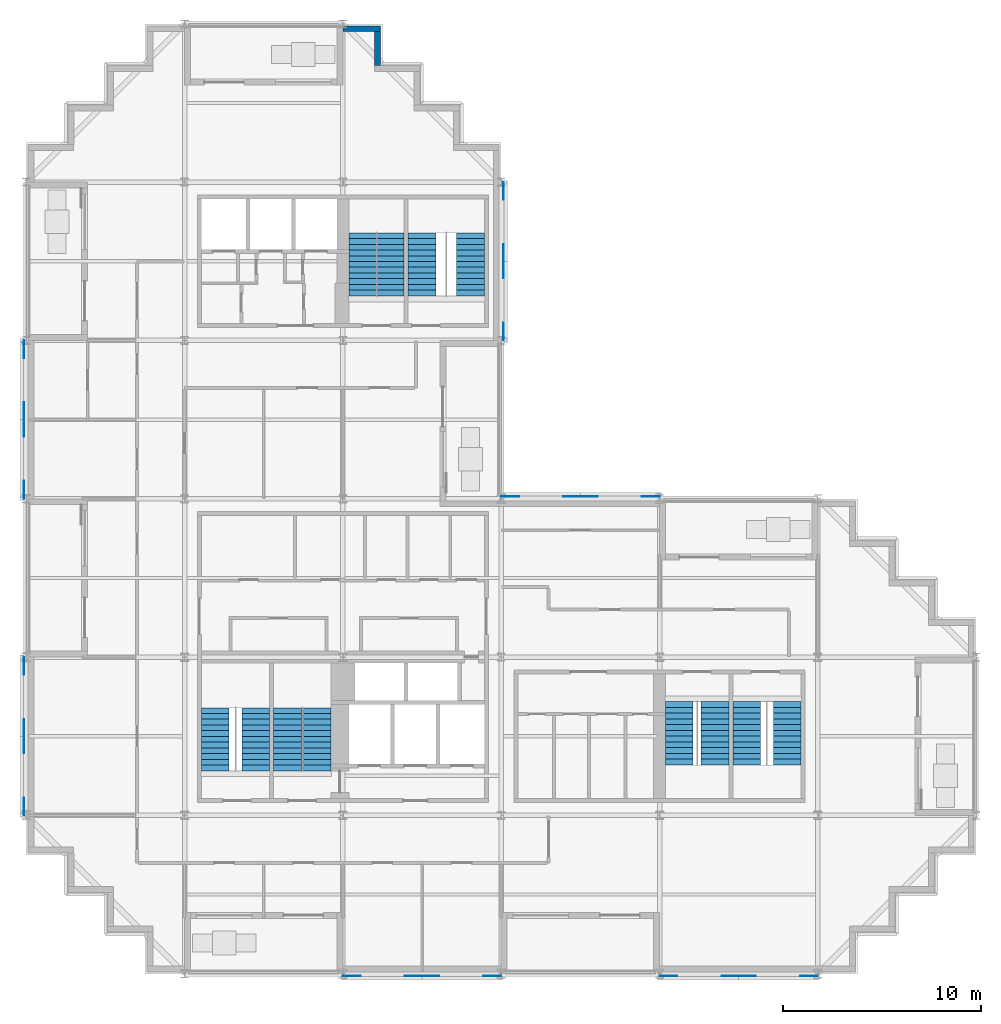
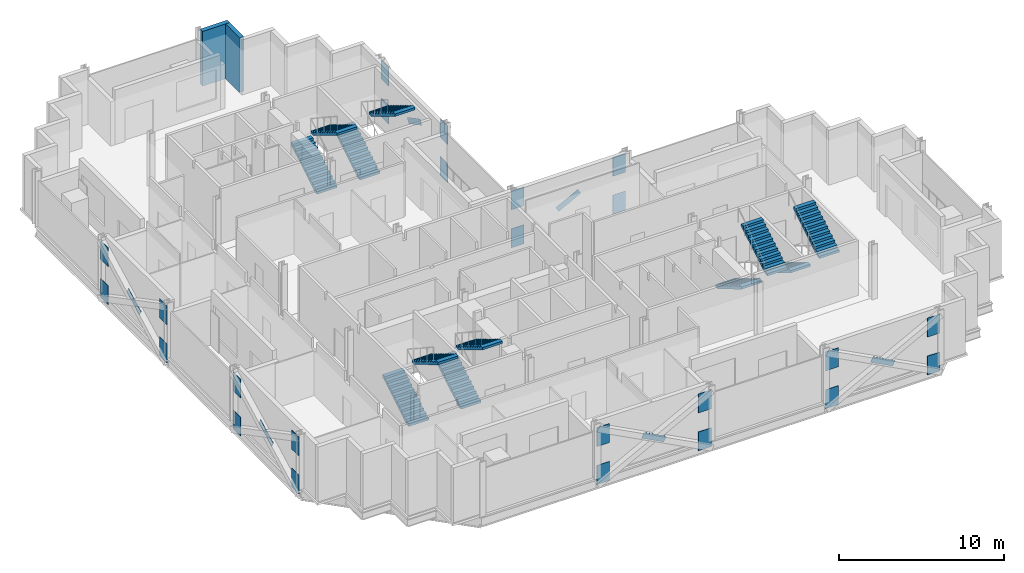
# One storey, part 9 of 12: 30 discrete accessories, 12 stair flights, 2 walls, 6 elements without a shape of their own.
"""IFC4 building model written with IfcOpenShell, lengths in metres."""

import ifcopenshell
import ifcopenshell.guid

model = None  # the IFC model being written
_history = None  # IfcOwnerHistory: only IFC2X3 demands one
_inside = {}  # id of a spatial element -> (the spatial element, [elements in it])
_under = {}  # id of a project, library or spatial element -> (it, [spatial elements below it])
_declared = {}  # id of a project -> (the project, [libraries it declares])
_typed = {}  # id of a type object -> (the type object, [elements of that type])
_made_of = {}  # id of a material, layer set ... -> (it, [elements and type objects made of it])


def new_model(schema):
    """Start an empty IFC model of exactly this schema.

    Asked for "IFC4X3", IfcOpenShell would pick the latest addendum, in which some entities
    have other attributes; the version numbers below select the first issue.
    IFC2X3 requires an IfcOwnerHistory on every rooted entity: one is made here for all.
    """
    global model, _history
    if schema == "IFC4X3":
        model = ifcopenshell.file(schema_version=(4, 3, 0, 0))
    else:
        model = ifcopenshell.file(schema=schema)
    _inside.clear()
    _under.clear()
    _declared.clear()
    _typed.clear()
    _made_of.clear()
    _history = None
    if model.schema == "IFC2X3":
        org = make("IfcOrganization", Name="unknown")
        user = make(
            "IfcPersonAndOrganization",
            ThePerson=make("IfcPerson", FamilyName="unknown"),
            TheOrganization=org,
        )
        app = make(
            "IfcApplication",
            ApplicationDeveloper=org,
            Version="unknown",
            ApplicationFullName="unknown",
            ApplicationIdentifier="unknown",
        )
        _history = make(
            "IfcOwnerHistory",
            OwningUser=user,
            OwningApplication=app,
            ChangeAction="ADDED",
            CreationDate=0,
        )
    return model


def make(cls, **values):
    """One entity of the class cls with the attributes given. An attribute that is None is left unset."""
    return model.create_entity(
        cls, **{name: value for name, value in values.items() if value is not None}
    )


def rooted(cls, **values):
    """An entity with a GlobalId (a new one), such as an element, a storey or a relation."""
    return make(cls, GlobalId=ifcopenshell.guid.new(), OwnerHistory=_history, **values)


def si_unit(unit_type, name, prefix=None):
    """IfcSIUnit, for example si_unit("LENGTHUNIT", "METRE", prefix="MILLI")."""
    return make("IfcSIUnit", UnitType=unit_type, Prefix=prefix, Name=name)


def assignment(units):
    """IfcUnitAssignment: the units of a project."""
    return None if units is None else make("IfcUnitAssignment", Units=units)


def point(xyz):
    """IfcCartesianPoint."""
    return None if xyz is None else make("IfcCartesianPoint", Coordinates=xyz)


def direction(xyz):
    """IfcDirection."""
    return None if xyz is None else make("IfcDirection", DirectionRatios=xyz)


def frame(location, z_axis=None, x_axis=None):
    """IfcAxis2Placement3D, a coordinate frame: its origin and axes. An axis left out is left unset."""
    return make(
        "IfcAxis2Placement3D",
        Location=point(location),
        Axis=direction(z_axis),
        RefDirection=direction(x_axis),
    )


def frame_2d(location, x_axis=None):
    """IfcAxis2Placement2D, a coordinate frame in the plane: its origin and x axis."""
    return make(
        "IfcAxis2Placement2D", Location=point(location), RefDirection=direction(x_axis)
    )


def origin():
    """The frame at (0, 0, 0) with its axes left unset."""
    return frame((0.0, 0.0, 0.0))


def origin_2d():
    """The frame at (0, 0) in the plane with its x axis left unset."""
    return frame_2d((0.0, 0.0))


def place(relative_to, where):
    """IfcLocalPlacement: puts the frame where relative to a parent placement (None: the world)."""
    return make(
        "IfcLocalPlacement", PlacementRelTo=relative_to, RelativePlacement=where
    )


def context(
    kind, dimensions, precision=None, world=None, true_north=None, identifier=None
):
    """IfcGeometricRepresentationContext, for example the 3D "Model" context."""
    return make(
        "IfcGeometricRepresentationContext",
        ContextIdentifier=identifier,
        ContextType=kind,
        CoordinateSpaceDimension=dimensions,
        Precision=precision,
        WorldCoordinateSystem=world,
        TrueNorth=true_north,
    )


def subcontext(parent, identifier, kind, view, scale=None):
    """IfcGeometricRepresentationSubContext, for example "Body" below "Model"."""
    return make(
        "IfcGeometricRepresentationSubContext",
        ContextIdentifier=identifier,
        ContextType=kind,
        ParentContext=parent,
        TargetScale=scale,
        TargetView=view,
    )


def project(units=None, contexts=None):
    """IfcProject with its units and contexts."""
    return rooted(
        "IfcProject",
        Name="project",
        RepresentationContexts=contexts,
        UnitsInContext=assignment(units),
    )


def spatial(cls, under=None, at=None, **own):
    """A site, building, storey or space (cls), placed at a placement, below another one or the project."""
    s = rooted(cls, ObjectPlacement=at, **own)
    if under is not None:
        _under.setdefault(under.id(), (under, []))[1].append(s)
    return s


def polyline(points):
    """IfcPolyline through the points."""
    return make("IfcPolyline", Points=[point(p) for p in points])


def profile(cls, at=None, kind="AREA", **sizes):
    """A parametric profile (cls). Its sizes go by their IFC names, for example OverallWidth=200.0."""
    return make(cls, ProfileType=kind, Position=at, **sizes)


def rectangle(**sizes):
    """IfcRectangleProfileDef."""
    return profile("IfcRectangleProfileDef", **sizes)


def outline(outer, holes=None, kind="AREA"):
    """IfcArbitraryClosedProfileDef: a profile drawn as a closed curve; with holes, ...WithVoids."""
    if holes is None:
        return make("IfcArbitraryClosedProfileDef", ProfileType=kind, OuterCurve=outer)
    return make(
        "IfcArbitraryProfileDefWithVoids",
        ProfileType=kind,
        OuterCurve=outer,
        InnerCurves=holes,
    )


def extrude(swept, where, along, depth):
    """IfcExtrudedAreaSolid: the profile swept, set in the frame where, extruded along a direction by depth."""
    return make(
        "IfcExtrudedAreaSolid",
        SweptArea=swept,
        Position=where,
        ExtrudedDirection=direction(along),
        Depth=depth,
    )


def shape(context_of_items, identifier, shape_type, items):
    """IfcShapeRepresentation: the items that make up one representation, for example the "Body"."""
    return make(
        "IfcShapeRepresentation",
        ContextOfItems=context_of_items,
        RepresentationIdentifier=identifier,
        RepresentationType=shape_type,
        Items=items,
    )


def material(Name=None, Category=None):
    """IfcMaterial."""
    return make("IfcMaterial", Name=Name, Category=Category)


def layer(
    of_material, thickness, ventilated=None, Name=None, Category=None, Priority=None
):
    """IfcMaterialLayer: one layer of a wall or slab, of a material (None: an air gap)."""
    return make(
        "IfcMaterialLayer",
        Material=of_material,
        LayerThickness=thickness,
        IsVentilated=ventilated,
        Name=Name,
        Category=Category,
        Priority=Priority,
    )


def layer_set(layers, Name=None):
    """IfcMaterialLayerSet."""
    return make("IfcMaterialLayerSet", MaterialLayers=layers, LayerSetName=Name)


def material_profile(
    of_material, cross_section, Name=None, Category=None, Priority=None
):
    """IfcMaterialProfile: a cross section and its material."""
    return make(
        "IfcMaterialProfile",
        Name=Name,
        Material=of_material,
        Profile=cross_section,
        Priority=Priority,
        Category=Category,
    )


def profile_set(profiles, Name=None, composite=None):
    """IfcMaterialProfileSet."""
    return make(
        "IfcMaterialProfileSet",
        Name=Name,
        MaterialProfiles=profiles,
        CompositeProfile=composite,
    )


def made_of(thing, what):
    """Note that an element or type object is made of a material, layer set ...; save() writes the relation."""
    if what is not None:
        _made_of.setdefault(what.id(), (what, []))[1].append(thing)
    return thing


def type_object(cls, material=None, **own):
    """A type object (cls), such as IfcWallType, which elements share."""
    return made_of(rooted(cls, **own), material)


def element(
    cls,
    number,
    at=None,
    inside=None,
    cuts=None,
    type_object=None,
    material=None,
    context=None,
    identifier="Body",
    shape_type=None,
    held_by="IfcProductDefinitionShape",
    body=None,
    shapes=None,
    **own,
):
    """One element of the class cls, such as IfcWall. Its Tag is "e" and its number.

    at: its placement. inside: the storey or other place that contains it. cuts: it is an
    opening in that element (IfcRelVoidsElement). A single representation is given by context,
    identifier, shape_type and body (its items); several are given by shapes. held_by: the class
    of the entity that holds the representations. save() writes the other relations.
    """
    e = rooted(cls, Tag="e%d" % number, ObjectPlacement=at, **own)
    if body is not None:
        shapes = [shape(context, identifier, shape_type, body)]
    if shapes is not None:
        e.Representation = make(held_by, Representations=shapes)
    if inside is not None:
        _inside.setdefault(inside.id(), (inside, []))[1].append(e)
    if cuts is not None:
        rooted(
            "IfcRelVoidsElement", RelatingBuildingElement=cuts, RelatedOpeningElement=e
        )
    if type_object is not None:
        _typed.setdefault(type_object.id(), (type_object, []))[1].append(e)
    return made_of(e, material)


def aggregate(whole, parts):
    """IfcRelAggregates: a whole, such as a stair, and the parts it consists of."""
    return rooted("IfcRelAggregates", RelatingObject=whole, RelatedObjects=parts)


def save(model, path):
    """Write the relations noted so far, then the file.

    IfcRelAggregates (storeys below a building ...), IfcRelContainedInSpatialStructure (elements
    in a storey), IfcRelDefinesByType, IfcRelAssociatesMaterial and IfcRelDeclares: one each for
    every whole, place, type object, material and project.
    """
    for whole, parts in _under.values():
        aggregate(whole, parts)
    for where, things in _inside.values():
        rooted(
            "IfcRelContainedInSpatialStructure",
            RelatedElements=things,
            RelatingStructure=where,
        )
    for kind, things in _typed.values():
        rooted("IfcRelDefinesByType", RelatedObjects=things, RelatingType=kind)
    for what, things in _made_of.values():
        rooted("IfcRelAssociatesMaterial", RelatedObjects=things, RelatingMaterial=what)
    for by, libraries in _declared.values():
        rooted("IfcRelDeclares", RelatingContext=by, RelatedDefinitions=libraries)
    model.write(path)


model = new_model("IFC4")

# Units and contexts
model_context = context("Model", 3, precision=1e-05, world=origin(), true_north=direction((0.0, 1.0)))
body_context = subcontext(model_context, "Body", "Model", "MODEL_VIEW")
ifc_project = project(units=[si_unit("LENGTHUNIT", "METRE"), si_unit("AREAUNIT", "SQUARE_METRE"), si_unit("VOLUMEUNIT", "CUBIC_METRE"), si_unit("PLANEANGLEUNIT", "RADIAN"), si_unit("MASSUNIT", "GRAM", prefix="KILO")], contexts=[model_context])

# Site, building, storey
site_placement = place(None, origin())
site = spatial("IfcSite", under=ifc_project, at=site_placement, CompositionType="ELEMENT")
building_placement = place(site_placement, origin())
building = spatial("IfcBuilding", under=site, at=building_placement, Name="Immortelle Media Tower", CompositionType="ELEMENT")
storey_placement = place(building_placement, frame((0.0, 0.0, 124.199951171875)))
storey = spatial("IfcBuildingStorey", under=building, at=storey_placement, Name="L24", CompositionType="ELEMENT", Elevation=124.199951171875)

# Walls
ifc_material_1 = material(Name="Pale aluminium cladding panel", Category="aluminium")
ifc_layer_1 = layer(ifc_material_1, 0.030029296875)
ifc_material_2 = material(Name="Steel ASTM A653 SS Gr 50 stud frame with mineral wool", Category="steel")
ifc_layer_2 = layer(ifc_material_2, 0.257568359375)
ifc_material_3 = material(Name="Moisture-resistant gypsum board", Category="gypsum")
ifc_layer_3 = layer(ifc_material_3, 0.012451171875)
ifc_layer_set = layer_set([ifc_layer_1, ifc_layer_2, ifc_layer_3], Name="Steel ASTM A653 SS Gr 50 stud frame with mineral wool")
wall_type = type_object("IfcWallType", Name="Facade wall 300", PredefinedType="SOLIDWALL", material=ifc_layer_set)
wall_1_placement = place(storey_placement, frame((17.75, 45.89990234375, 0.0), z_axis=(0.0, 0.0, 1.0), x_axis=(0.0, 1.0, 0.0)))
element("IfcWall", 1, at=wall_1_placement, inside=storey, type_object=wall_type, Name="Facade wall L24 E27", PredefinedType="SOLIDWALL", context=body_context, shape_type="SweptSolid", body=[
    extrude(rectangle(XDim=1.7001953125, YDim=0.300048828125, at=frame_2d((0.85009765625, 0.0))), origin(), (0.0, 0.0, 1.0), 4.050048828125),
])
wall_2_placement = place(storey_placement, frame((17.89990234375, 47.75, 0.0), z_axis=(0.0, 0.0, 1.0), x_axis=(-1.0, 0.0, 0.0)))
element("IfcWall", 2, at=wall_2_placement, inside=storey, type_object=wall_type, Name="Facade wall L24 N28", PredefinedType="SOLIDWALL", context=body_context, shape_type="SweptSolid", body=[
    extrude(rectangle(XDim=1.89990234375, YDim=0.300048828125, at=frame_2d((0.949951171875, 0.0))), origin(), (0.0, 0.0, 1.0), 4.050048828125),
])

# Stair, stair flights
ifc_material_4 = material(Name="Steel ASTM A992 Gr 50", Category="steel")
stair_type = type_object("IfcStairType", Name="Stair with flights", PredefinedType="DOUBLE_RETURN_STAIR", material=ifc_material_4)
stair_1_placement = place(storey_placement, origin())
stair_1 = element("IfcStair", 3, at=stair_1_placement, inside=storey, type_object=stair_type, Name="Exit stair SW1", PredefinedType="DOUBLE_RETURN_STAIR")
stair_flight_type = type_object("IfcStairFlightType", Name="Stair flight 1400", PredefinedType="STRAIGHT", material=ifc_material_4)
stair_flight_1_placement = place(storey_placement, frame((9.550048828125, 10.25, 0.0), z_axis=(0.0, 0.0, 1.0), x_axis=(0.0, 1.0, 0.0)))
stair_flight_1 = element("IfcStairFlight", 4, at=stair_flight_1_placement, type_object=stair_flight_type, Name="ST SW1 flight 1", NumberOfRisers=12, NumberOfTreads=11, PredefinedType="STRAIGHT", RiserHeight=0.175, TreadLength=0.29, context=body_context, shape_type="SweptSolid", body=[
    extrude(outline(polyline([(0.0, 0.0), (0.0, 0.175048828125), (0.2900390625, 0.175048828125), (0.2900390625, 0.35009765625), (0.580078125, 0.35009765625), (0.580078125, 0.52490234375), (0.8701171875, 0.52490234375), (0.8701171875, 0.699951171875), (1.159912109375, 0.699951171875), (1.159912109375, 0.875), (1.449951171875, 0.875), (1.449951171875, 1.050048828125), (1.739990234375, 1.050048828125), (1.739990234375, 1.22509765625), (2.030029296875, 1.22509765625), (2.030029296875, 1.39990234375), (2.320068359375, 1.39990234375), (2.320068359375, 1.574951171875), (2.610107421875, 1.574951171875), (2.610107421875, 1.75), (2.89990234375, 1.75), (2.89990234375, 1.925048828125), (3.18994140625, 1.925048828125), (3.18994140625, 2.10009765625), (3.18994140625, 1.75), (0.2900390625, 0.0), (0.0, 0.0)])), frame((0.0, 0.699951171875, 0.0), z_axis=(0.0, -1.0, 0.0), x_axis=(1.0, 0.0, 0.0)), (0.0, 0.0, 1.0), 1.39990234375),
])
stair_flight_2_placement = place(storey_placement, frame((11.60009765625, 13.43994140625, 2.10009765625), z_axis=(0.0, 0.0, 1.0), x_axis=(0.0, -1.0, 0.0)))
stair_flight_2 = element("IfcStairFlight", 5, at=stair_flight_2_placement, type_object=stair_flight_type, Name="ST SW1 flight 2", NumberOfRisers=12, NumberOfTreads=11, PredefinedType="STRAIGHT", RiserHeight=0.175, TreadLength=0.29, context=body_context, shape_type="SweptSolid", body=[
    extrude(outline(polyline([(0.0, 0.0), (0.0, 0.175048828125), (0.2900390625, 0.175048828125), (0.2900390625, 0.35009765625), (0.580078125, 0.35009765625), (0.580078125, 0.52490234375), (0.8701171875, 0.52490234375), (0.8701171875, 0.699951171875), (1.159912109375, 0.699951171875), (1.159912109375, 0.875), (1.449951171875, 0.875), (1.449951171875, 1.050048828125), (1.739990234375, 1.050048828125), (1.739990234375, 1.22509765625), (2.030029296875, 1.22509765625), (2.030029296875, 1.39990234375), (2.320068359375, 1.39990234375), (2.320068359375, 1.574951171875), (2.610107421875, 1.574951171875), (2.610107421875, 1.75), (2.89990234375, 1.75), (2.89990234375, 1.925048828125), (3.18994140625, 1.925048828125), (3.18994140625, 2.10009765625), (3.18994140625, 1.75), (0.2900390625, 0.0), (0.0, 0.0)])), frame((0.0, 0.699951171875, 0.0), z_axis=(0.0, -1.0, 0.0), x_axis=(1.0, 0.0, 0.0)), (0.0, 0.0, 1.0), 1.39990234375),
])
aggregate(stair_1, [stair_flight_1, stair_flight_2])

stair_2_placement = place(storey_placement, origin())
stair_2 = element("IfcStair", 6, at=stair_2_placement, inside=storey, type_object=stair_type, Name="Exit stair SW2", PredefinedType="DOUBLE_RETURN_STAIR")
stair_flight_3_placement = place(storey_placement, frame((13.199951171875, 10.25, 0.0), z_axis=(0.0, 0.0, 1.0), x_axis=(0.0, 1.0, 0.0)))
stair_flight_3 = element("IfcStairFlight", 7, at=stair_flight_3_placement, type_object=stair_flight_type, Name="ST SW2 flight 1", NumberOfRisers=12, NumberOfTreads=11, PredefinedType="STRAIGHT", RiserHeight=0.175, TreadLength=0.29, context=body_context, shape_type="SweptSolid", body=[
    extrude(outline(polyline([(0.0, 0.0), (0.0, 0.175048828125), (0.2900390625, 0.175048828125), (0.2900390625, 0.35009765625), (0.580078125, 0.35009765625), (0.580078125, 0.52490234375), (0.8701171875, 0.52490234375), (0.8701171875, 0.699951171875), (1.159912109375, 0.699951171875), (1.159912109375, 0.875), (1.449951171875, 0.875), (1.449951171875, 1.050048828125), (1.739990234375, 1.050048828125), (1.739990234375, 1.22509765625), (2.030029296875, 1.22509765625), (2.030029296875, 1.39990234375), (2.320068359375, 1.39990234375), (2.320068359375, 1.574951171875), (2.610107421875, 1.574951171875), (2.610107421875, 1.75), (2.89990234375, 1.75), (2.89990234375, 1.925048828125), (3.18994140625, 1.925048828125), (3.18994140625, 2.10009765625), (3.18994140625, 1.75), (0.2900390625, 0.0), (0.0, 0.0)])), frame((0.0, 0.699951171875, 0.0), z_axis=(0.0, -1.0, 0.0), x_axis=(1.0, 0.0, 0.0)), (0.0, 0.0, 1.0), 1.39990234375),
])
stair_flight_4_placement = place(storey_placement, frame((14.699951171875, 13.43994140625, 2.10009765625), z_axis=(0.0, 0.0, 1.0), x_axis=(0.0, -1.0, 0.0)))
stair_flight_4 = element("IfcStairFlight", 8, at=stair_flight_4_placement, type_object=stair_flight_type, Name="ST SW2 flight 2", NumberOfRisers=12, NumberOfTreads=11, PredefinedType="STRAIGHT", RiserHeight=0.175, TreadLength=0.29, context=body_context, shape_type="SweptSolid", body=[
    extrude(outline(polyline([(0.0, 0.0), (0.0, 0.175048828125), (0.2900390625, 0.175048828125), (0.2900390625, 0.35009765625), (0.580078125, 0.35009765625), (0.580078125, 0.52490234375), (0.8701171875, 0.52490234375), (0.8701171875, 0.699951171875), (1.159912109375, 0.699951171875), (1.159912109375, 0.875), (1.449951171875, 0.875), (1.449951171875, 1.050048828125), (1.739990234375, 1.050048828125), (1.739990234375, 1.22509765625), (2.030029296875, 1.22509765625), (2.030029296875, 1.39990234375), (2.320068359375, 1.39990234375), (2.320068359375, 1.574951171875), (2.610107421875, 1.574951171875), (2.610107421875, 1.75), (2.89990234375, 1.75), (2.89990234375, 1.925048828125), (3.18994140625, 1.925048828125), (3.18994140625, 2.10009765625), (3.18994140625, 1.75), (0.2900390625, 0.0), (0.0, 0.0)])), frame((0.0, 0.699951171875, 0.0), z_axis=(0.0, -1.0, 0.0), x_axis=(1.0, 0.0, 0.0)), (0.0, 0.0, 1.0), 1.39990234375),
])
aggregate(stair_2, [stair_flight_3, stair_flight_4])

stair_3_placement = place(storey_placement, origin())
stair_3 = element("IfcStair", 9, at=stair_3_placement, inside=storey, type_object=stair_type, Name="Exit stair SE1", PredefinedType="DOUBLE_RETURN_STAIR")
stair_flight_5_placement = place(storey_placement, frame((33.0, 13.75, 0.0), z_axis=(0.0, 0.0, 1.0), x_axis=(0.0, -1.0, 0.0)))
stair_flight_5 = element("IfcStairFlight", 10, at=stair_flight_5_placement, type_object=stair_flight_type, Name="ST SE1 flight 1", NumberOfRisers=12, NumberOfTreads=11, PredefinedType="STRAIGHT", RiserHeight=0.175, TreadLength=0.29, context=body_context, shape_type="SweptSolid", body=[
    extrude(outline(polyline([(0.0, 0.0), (0.0, 0.175048828125), (0.2900390625, 0.175048828125), (0.2900390625, 0.35009765625), (0.580078125, 0.35009765625), (0.580078125, 0.52490234375), (0.8701171875, 0.52490234375), (0.8701171875, 0.699951171875), (1.159912109375, 0.699951171875), (1.159912109375, 0.875), (1.449951171875, 0.875), (1.449951171875, 1.050048828125), (1.739990234375, 1.050048828125), (1.739990234375, 1.22509765625), (2.030029296875, 1.22509765625), (2.030029296875, 1.39990234375), (2.320068359375, 1.39990234375), (2.320068359375, 1.574951171875), (2.610107421875, 1.574951171875), (2.610107421875, 1.75), (2.89990234375, 1.75), (2.89990234375, 1.925048828125), (3.18994140625, 1.925048828125), (3.18994140625, 2.10009765625), (3.18994140625, 1.75), (0.2900390625, 0.0), (0.0, 0.0)])), frame((0.0, 0.699951171875, 0.0), z_axis=(0.0, -1.0, 0.0), x_axis=(1.0, 0.0, 0.0)), (0.0, 0.0, 1.0), 1.39990234375),
])
stair_flight_6_placement = place(storey_placement, frame((34.800048828125, 10.56005859375, 2.10009765625), z_axis=(0.0, 0.0, 1.0), x_axis=(0.0, 1.0, 0.0)))
stair_flight_6 = element("IfcStairFlight", 11, at=stair_flight_6_placement, type_object=stair_flight_type, Name="ST SE1 flight 2", NumberOfRisers=12, NumberOfTreads=11, PredefinedType="STRAIGHT", RiserHeight=0.175, TreadLength=0.29, context=body_context, shape_type="SweptSolid", body=[
    extrude(outline(polyline([(0.0, 0.0), (0.0, 0.175048828125), (0.2900390625, 0.175048828125), (0.2900390625, 0.35009765625), (0.580078125, 0.35009765625), (0.580078125, 0.52490234375), (0.8701171875, 0.52490234375), (0.8701171875, 0.699951171875), (1.159912109375, 0.699951171875), (1.159912109375, 0.875), (1.449951171875, 0.875), (1.449951171875, 1.050048828125), (1.739990234375, 1.050048828125), (1.739990234375, 1.22509765625), (2.030029296875, 1.22509765625), (2.030029296875, 1.39990234375), (2.320068359375, 1.39990234375), (2.320068359375, 1.574951171875), (2.610107421875, 1.574951171875), (2.610107421875, 1.75), (2.89990234375, 1.75), (2.89990234375, 1.925048828125), (3.18994140625, 1.925048828125), (3.18994140625, 2.10009765625), (3.18994140625, 1.75), (0.2900390625, 0.0), (0.0, 0.0)])), frame((0.0, 0.699951171875, 0.0), z_axis=(0.0, -1.0, 0.0), x_axis=(1.0, 0.0, 0.0)), (0.0, 0.0, 1.0), 1.39990234375),
])
aggregate(stair_3, [stair_flight_5, stair_flight_6])

stair_4_placement = place(storey_placement, origin())
stair_4 = element("IfcStair", 12, at=stair_4_placement, inside=storey, type_object=stair_type, Name="Exit stair SE2", PredefinedType="DOUBLE_RETURN_STAIR")
stair_flight_7_placement = place(storey_placement, frame((36.39990234375, 13.75, 0.0), z_axis=(0.0, 0.0, 1.0), x_axis=(0.0, -1.0, 0.0)))
stair_flight_7 = element("IfcStairFlight", 13, at=stair_flight_7_placement, type_object=stair_flight_type, Name="ST SE2 flight 1", NumberOfRisers=12, NumberOfTreads=11, PredefinedType="STRAIGHT", RiserHeight=0.175, TreadLength=0.29, context=body_context, shape_type="SweptSolid", body=[
    extrude(outline(polyline([(0.0, 0.0), (0.0, 0.175048828125), (0.2900390625, 0.175048828125), (0.2900390625, 0.35009765625), (0.580078125, 0.35009765625), (0.580078125, 0.52490234375), (0.8701171875, 0.52490234375), (0.8701171875, 0.699951171875), (1.159912109375, 0.699951171875), (1.159912109375, 0.875), (1.449951171875, 0.875), (1.449951171875, 1.050048828125), (1.739990234375, 1.050048828125), (1.739990234375, 1.22509765625), (2.030029296875, 1.22509765625), (2.030029296875, 1.39990234375), (2.320068359375, 1.39990234375), (2.320068359375, 1.574951171875), (2.610107421875, 1.574951171875), (2.610107421875, 1.75), (2.89990234375, 1.75), (2.89990234375, 1.925048828125), (3.18994140625, 1.925048828125), (3.18994140625, 2.10009765625), (3.18994140625, 1.75), (0.2900390625, 0.0), (0.0, 0.0)])), frame((0.0, 0.699951171875, 0.0), z_axis=(0.0, -1.0, 0.0), x_axis=(1.0, 0.0, 0.0)), (0.0, 0.0, 1.0), 1.39990234375),
])
stair_flight_8_placement = place(storey_placement, frame((38.449951171875, 10.56005859375, 2.10009765625), z_axis=(0.0, 0.0, 1.0), x_axis=(0.0, 1.0, 0.0)))
stair_flight_8 = element("IfcStairFlight", 14, at=stair_flight_8_placement, type_object=stair_flight_type, Name="ST SE2 flight 2", NumberOfRisers=12, NumberOfTreads=11, PredefinedType="STRAIGHT", RiserHeight=0.175, TreadLength=0.29, context=body_context, shape_type="SweptSolid", body=[
    extrude(outline(polyline([(0.0, 0.0), (0.0, 0.175048828125), (0.2900390625, 0.175048828125), (0.2900390625, 0.35009765625), (0.580078125, 0.35009765625), (0.580078125, 0.52490234375), (0.8701171875, 0.52490234375), (0.8701171875, 0.699951171875), (1.159912109375, 0.699951171875), (1.159912109375, 0.875), (1.449951171875, 0.875), (1.449951171875, 1.050048828125), (1.739990234375, 1.050048828125), (1.739990234375, 1.22509765625), (2.030029296875, 1.22509765625), (2.030029296875, 1.39990234375), (2.320068359375, 1.39990234375), (2.320068359375, 1.574951171875), (2.610107421875, 1.574951171875), (2.610107421875, 1.75), (2.89990234375, 1.75), (2.89990234375, 1.925048828125), (3.18994140625, 1.925048828125), (3.18994140625, 2.10009765625), (3.18994140625, 1.75), (0.2900390625, 0.0), (0.0, 0.0)])), frame((0.0, 0.699951171875, 0.0), z_axis=(0.0, -1.0, 0.0), x_axis=(1.0, 0.0, 0.0)), (0.0, 0.0, 1.0), 1.39990234375),
])
aggregate(stair_4, [stair_flight_7, stair_flight_8])

stair_5_placement = place(storey_placement, origin())
stair_5 = element("IfcStair", 15, at=stair_5_placement, inside=storey, type_object=stair_type, Name="Exit stair NW1", PredefinedType="DOUBLE_RETURN_STAIR")
stair_flight_9_placement = place(storey_placement, frame((17.0, 34.25, 0.0), z_axis=(0.0, 0.0, 1.0), x_axis=(0.0, 1.0, 0.0)))
stair_flight_9 = element("IfcStairFlight", 16, at=stair_flight_9_placement, type_object=stair_flight_type, Name="ST NW1 flight 1", NumberOfRisers=12, NumberOfTreads=11, PredefinedType="STRAIGHT", RiserHeight=0.175, TreadLength=0.29, context=body_context, shape_type="SweptSolid", body=[
    extrude(outline(polyline([(0.0, 0.0), (0.0, 0.175048828125), (0.2900390625, 0.175048828125), (0.2900390625, 0.35009765625), (0.580078125, 0.35009765625), (0.580078125, 0.52490234375), (0.8701171875, 0.52490234375), (0.8701171875, 0.699951171875), (1.159912109375, 0.699951171875), (1.159912109375, 0.875), (1.449951171875, 0.875), (1.449951171875, 1.050048828125), (1.739990234375, 1.050048828125), (1.739990234375, 1.22509765625), (2.030029296875, 1.22509765625), (2.030029296875, 1.39990234375), (2.320068359375, 1.39990234375), (2.320068359375, 1.574951171875), (2.610107421875, 1.574951171875), (2.610107421875, 1.75), (2.89990234375, 1.75), (2.89990234375, 1.925048828125), (3.18994140625, 1.925048828125), (3.18994140625, 2.10009765625), (3.18994140625, 1.75), (0.2900390625, 0.0), (0.0, 0.0)])), frame((0.0, 0.699951171875, 0.0), z_axis=(0.0, -1.0, 0.0), x_axis=(1.0, 0.0, 0.0)), (0.0, 0.0, 1.0), 1.39990234375),
])
stair_flight_10_placement = place(storey_placement, frame((18.39990234375, 37.43994140625, 2.10009765625), z_axis=(0.0, 0.0, 1.0), x_axis=(0.0, -1.0, 0.0)))
stair_flight_10 = element("IfcStairFlight", 17, at=stair_flight_10_placement, type_object=stair_flight_type, Name="ST NW1 flight 2", NumberOfRisers=12, NumberOfTreads=11, PredefinedType="STRAIGHT", RiserHeight=0.175, TreadLength=0.29, context=body_context, shape_type="SweptSolid", body=[
    extrude(outline(polyline([(0.0, 0.0), (0.0, 0.175048828125), (0.2900390625, 0.175048828125), (0.2900390625, 0.35009765625), (0.580078125, 0.35009765625), (0.580078125, 0.52490234375), (0.8701171875, 0.52490234375), (0.8701171875, 0.699951171875), (1.159912109375, 0.699951171875), (1.159912109375, 0.875), (1.449951171875, 0.875), (1.449951171875, 1.050048828125), (1.739990234375, 1.050048828125), (1.739990234375, 1.22509765625), (2.030029296875, 1.22509765625), (2.030029296875, 1.39990234375), (2.320068359375, 1.39990234375), (2.320068359375, 1.574951171875), (2.610107421875, 1.574951171875), (2.610107421875, 1.75), (2.89990234375, 1.75), (2.89990234375, 1.925048828125), (3.18994140625, 1.925048828125), (3.18994140625, 2.10009765625), (3.18994140625, 1.75), (0.2900390625, 0.0), (0.0, 0.0)])), frame((0.0, 0.699951171875, 0.0), z_axis=(0.0, -1.0, 0.0), x_axis=(1.0, 0.0, 0.0)), (0.0, 0.0, 1.0), 1.39990234375),
])
aggregate(stair_5, [stair_flight_9, stair_flight_10])

stair_6_placement = place(storey_placement, origin())
stair_6 = element("IfcStair", 18, at=stair_6_placement, inside=storey, type_object=stair_type, Name="Exit stair NW2", PredefinedType="DOUBLE_RETURN_STAIR")
stair_flight_11_placement = place(storey_placement, frame((20.0, 34.25, 0.0), z_axis=(0.0, 0.0, 1.0), x_axis=(0.0, 1.0, 0.0)))
stair_flight_11 = element("IfcStairFlight", 19, at=stair_flight_11_placement, type_object=stair_flight_type, Name="ST NW2 flight 1", NumberOfRisers=12, NumberOfTreads=11, PredefinedType="STRAIGHT", RiserHeight=0.175, TreadLength=0.29, context=body_context, shape_type="SweptSolid", body=[
    extrude(outline(polyline([(0.0, 0.0), (0.0, 0.175048828125), (0.2900390625, 0.175048828125), (0.2900390625, 0.35009765625), (0.580078125, 0.35009765625), (0.580078125, 0.52490234375), (0.8701171875, 0.52490234375), (0.8701171875, 0.699951171875), (1.159912109375, 0.699951171875), (1.159912109375, 0.875), (1.449951171875, 0.875), (1.449951171875, 1.050048828125), (1.739990234375, 1.050048828125), (1.739990234375, 1.22509765625), (2.030029296875, 1.22509765625), (2.030029296875, 1.39990234375), (2.320068359375, 1.39990234375), (2.320068359375, 1.574951171875), (2.610107421875, 1.574951171875), (2.610107421875, 1.75), (2.89990234375, 1.75), (2.89990234375, 1.925048828125), (3.18994140625, 1.925048828125), (3.18994140625, 2.10009765625), (3.18994140625, 1.75), (0.2900390625, 0.0), (0.0, 0.0)])), frame((0.0, 0.699951171875, 0.0), z_axis=(0.0, -1.0, 0.0), x_axis=(1.0, 0.0, 0.0)), (0.0, 0.0, 1.0), 1.39990234375),
])
stair_flight_12_placement = place(storey_placement, frame((22.449951171875, 37.43994140625, 2.10009765625), z_axis=(0.0, 0.0, 1.0), x_axis=(0.0, -1.0, 0.0)))
stair_flight_12 = element("IfcStairFlight", 20, at=stair_flight_12_placement, type_object=stair_flight_type, Name="ST NW2 flight 2", NumberOfRisers=12, NumberOfTreads=11, PredefinedType="STRAIGHT", RiserHeight=0.175, TreadLength=0.29, context=body_context, shape_type="SweptSolid", body=[
    extrude(outline(polyline([(0.0, 0.0), (0.0, 0.175048828125), (0.2900390625, 0.175048828125), (0.2900390625, 0.35009765625), (0.580078125, 0.35009765625), (0.580078125, 0.52490234375), (0.8701171875, 0.52490234375), (0.8701171875, 0.699951171875), (1.159912109375, 0.699951171875), (1.159912109375, 0.875), (1.449951171875, 0.875), (1.449951171875, 1.050048828125), (1.739990234375, 1.050048828125), (1.739990234375, 1.22509765625), (2.030029296875, 1.22509765625), (2.030029296875, 1.39990234375), (2.320068359375, 1.39990234375), (2.320068359375, 1.574951171875), (2.610107421875, 1.574951171875), (2.610107421875, 1.75), (2.89990234375, 1.75), (2.89990234375, 1.925048828125), (3.18994140625, 1.925048828125), (3.18994140625, 2.10009765625), (3.18994140625, 1.75), (0.2900390625, 0.0), (0.0, 0.0)])), frame((0.0, 0.699951171875, 0.0), z_axis=(0.0, -1.0, 0.0), x_axis=(1.0, 0.0, 0.0)), (0.0, 0.0, 1.0), 1.39990234375),
])
aggregate(stair_6, [stair_flight_11, stair_flight_12])

# Discrete accessories
ifc_material_5 = material(Name="Steel ASTM A572 Gr 50", Category="steel")
ifc_material_profile_1 = material_profile(ifc_material_5, rectangle(XDim=0.02392578125, YDim=0.406005859375, at=origin_2d()), Name="PL 24 x 406")
ifc_profile_set_1 = profile_set([ifc_material_profile_1], Name="Steel ASTM A572 Gr 50")
discrete_accessory_type_1 = type_object("IfcDiscreteAccessoryType", Name="Crossing plate XP-BR4 1750 x 406 x 24", PredefinedType="USERDEFINED", material=ifc_profile_set_1)
for number, where, z_axis, x_axis, name in (
    (21, (28.774658203125, 24.113037109375, 2.01025390625), (-0.885377804934, 0.0, -0.464872178701), (0.0, -1.0, 0.0), "Crossing plate XP-BR4 of Brace D/4-5 A and Brace D/4-5 B"),
    (22, (24.113037109375, 35.225341796875, 2.01025390625), (0.0, 0.885377804934, -0.464872178701), (-1.0, 0.0, 0.0), "Crossing plate XP-BR4 of Brace 4/E-F A and Brace 4/E-F B"),
    (23, (-0.113037109375, 28.774658203125, 2.01025390625), (0.0, -0.885377804934, -0.464872178701), (1.0, 0.0, 0.0), "Crossing plate XP-BR4 of Brace 1/D-E A and Brace 1/D-E B"),
    (24, (-0.113037109375, 12.774658203125, 2.01025390625), (0.0, -0.885377804934, -0.464872178701), (1.0, 0.0, 0.0), "Crossing plate XP-BR4 of Brace 1/B-C A and Brace 1/B-C B"),
    (25, (19.225341796875, -0.113037109375, 2.01025390625), (0.885377804934, 0.0, -0.464872178701), (0.0, 1.0, 0.0), "Crossing plate XP-BR4 of Brace A/3-4 A and Brace A/3-4 B"),
    (26, (35.225341796875, -0.113037109375, 2.01025390625), (0.885377804934, 0.0, -0.464872178701), (0.0, 1.0, 0.0), "Crossing plate XP-BR4 of Brace A/5-6 A and Brace A/5-6 B"),
):
    element("IfcDiscreteAccessory", number, at=place(storey_placement, frame(where, z_axis=z_axis, x_axis=x_axis)), inside=storey, type_object=discrete_accessory_type_1, Name=name, ObjectType="CROSSING PLATE", PredefinedType="USERDEFINED", context=body_context, shape_type="SweptSolid", body=[
        extrude(rectangle(XDim=0.02392578125, YDim=0.406005859375, at=origin_2d()), origin(), (0.0, 0.0, 1.0), 1.75),
    ])
ifc_material_profile_2 = material_profile(ifc_material_5, rectangle(XDim=0.031982421875, YDim=1.39990234375, at=origin_2d()), Name="PL 32 x 1400")
ifc_profile_set_2 = profile_set([ifc_material_profile_2], Name="Steel ASTM A572 Gr 50")
discrete_accessory_type_2 = type_object("IfcDiscreteAccessoryType", Name="Gusset plate GP1 900 x 1400 x 32", PredefinedType="USERDEFINED", material=ifc_profile_set_2)
for number, where, z_axis, x_axis, name in (
    (27, (16.0, -0.113037109375, 0.20361328125), (1.0, 0.0, 0.0), (0.0, 1.0, 0.0), "Gusset plate GP1, lower end of Brace A/3-4 A"),
    (28, (24.0, -0.113037109375, 3.003662109375), (-1.0, 0.0, 0.0), (0.0, -1.0, 0.0), "Gusset plate GP1, upper end of Brace A/3-4 A"),
    (29, (24.0, -0.113037109375, 0.20361328125), (-1.0, 0.0, 0.0), (0.0, -1.0, 0.0), "Gusset plate GP1, lower end of Brace A/3-4 B"),
    (30, (16.0, -0.113037109375, 3.003662109375), (1.0, 0.0, 0.0), (0.0, 1.0, 0.0), "Gusset plate GP1, upper end of Brace A/3-4 B"),
    (31, (32.0, -0.113037109375, 0.20361328125), (1.0, 0.0, 0.0), (0.0, 1.0, 0.0), "Gusset plate GP1, lower end of Brace A/5-6 A"),
    (32, (40.0, -0.113037109375, 3.003662109375), (-1.0, 0.0, 0.0), (0.0, -1.0, 0.0), "Gusset plate GP1, upper end of Brace A/5-6 A"),
    (33, (40.0, -0.113037109375, 0.20361328125), (-1.0, 0.0, 0.0), (0.0, -1.0, 0.0), "Gusset plate GP1, lower end of Brace A/5-6 B"),
    (34, (32.0, -0.113037109375, 3.003662109375), (1.0, 0.0, 0.0), (0.0, 1.0, 0.0), "Gusset plate GP1, upper end of Brace A/5-6 B"),
    (35, (32.0, 24.113037109375, 0.20361328125), (-1.0, 0.0, 0.0), (0.0, -1.0, 0.0), "Gusset plate GP1, lower end of Brace D/4-5 A"),
    (36, (24.0, 24.113037109375, 3.003662109375), (1.0, 0.0, 0.0), (0.0, 1.0, 0.0), "Gusset plate GP1, upper end of Brace D/4-5 A"),
    (37, (24.0, 24.113037109375, 0.20361328125), (1.0, 0.0, 0.0), (0.0, 1.0, 0.0), "Gusset plate GP1, lower end of Brace D/4-5 B"),
    (38, (32.0, 24.113037109375, 3.003662109375), (-1.0, 0.0, 0.0), (0.0, -1.0, 0.0), "Gusset plate GP1, upper end of Brace D/4-5 B"),
    (39, (24.113037109375, 32.0, 0.20361328125), (0.0, 1.0, 0.0), (-1.0, 0.0, 0.0), "Gusset plate GP1, lower end of Brace 4/E-F A"),
    (40, (24.113037109375, 40.0, 3.003662109375), (0.0, -1.0, 0.0), (1.0, 0.0, 0.0), "Gusset plate GP1, upper end of Brace 4/E-F A"),
    (41, (24.113037109375, 40.0, 0.20361328125), (0.0, -1.0, 0.0), (1.0, 0.0, 0.0), "Gusset plate GP1, lower end of Brace 4/E-F B"),
    (42, (24.113037109375, 32.0, 3.003662109375), (0.0, 1.0, 0.0), (-1.0, 0.0, 0.0), "Gusset plate GP1, upper end of Brace 4/E-F B"),
    (43, (-0.113037109375, 32.0, 0.20361328125), (0.0, -1.0, 0.0), (1.0, 0.0, 0.0), "Gusset plate GP1, lower end of Brace 1/D-E A"),
    (44, (-0.113037109375, 24.0, 3.003662109375), (0.0, 1.0, 0.0), (-1.0, 0.0, 0.0), "Gusset plate GP1, upper end of Brace 1/D-E A"),
    (45, (-0.113037109375, 24.0, 0.20361328125), (0.0, 1.0, 0.0), (-1.0, 0.0, 0.0), "Gusset plate GP1, lower end of Brace 1/D-E B"),
    (46, (-0.113037109375, 32.0, 3.003662109375), (0.0, -1.0, 0.0), (1.0, 0.0, 0.0), "Gusset plate GP1, upper end of Brace 1/D-E B"),
    (47, (-0.113037109375, 16.0, 0.20361328125), (0.0, -1.0, 0.0), (1.0, 0.0, 0.0), "Gusset plate GP1, lower end of Brace 1/B-C A"),
    (48, (-0.113037109375, 8.0, 3.003662109375), (0.0, 1.0, 0.0), (-1.0, 0.0, 0.0), "Gusset plate GP1, upper end of Brace 1/B-C A"),
    (49, (-0.113037109375, 8.0, 0.20361328125), (0.0, 1.0, 0.0), (-1.0, 0.0, 0.0), "Gusset plate GP1, lower end of Brace 1/B-C B"),
    (50, (-0.113037109375, 16.0, 3.003662109375), (0.0, -1.0, 0.0), (1.0, 0.0, 0.0), "Gusset plate GP1, upper end of Brace 1/B-C B"),
):
    element("IfcDiscreteAccessory", number, at=place(storey_placement, frame(where, z_axis=z_axis, x_axis=x_axis)), inside=storey, type_object=discrete_accessory_type_2, Name=name, ObjectType="GUSSET PLATE", PredefinedType="USERDEFINED", context=body_context, shape_type="SweptSolid", body=[
        extrude(rectangle(XDim=0.031982421875, YDim=1.39990234375, at=origin_2d()), origin(), (0.0, 0.0, 1.0), 0.89990234375),
    ])

save(model, "model.ifc")
